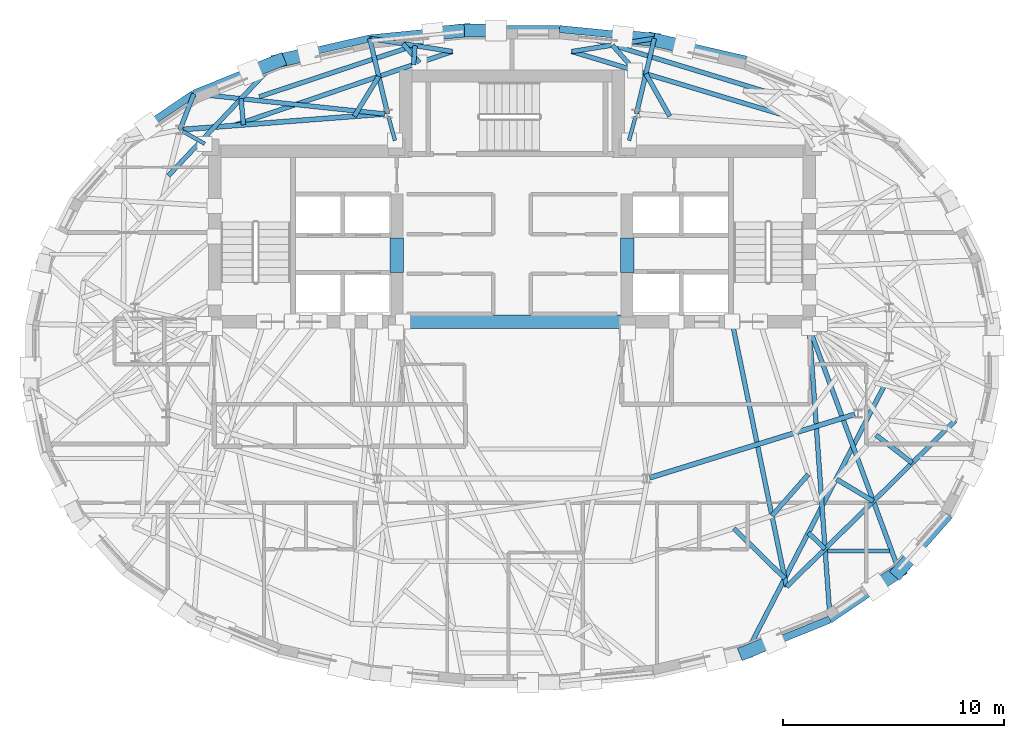
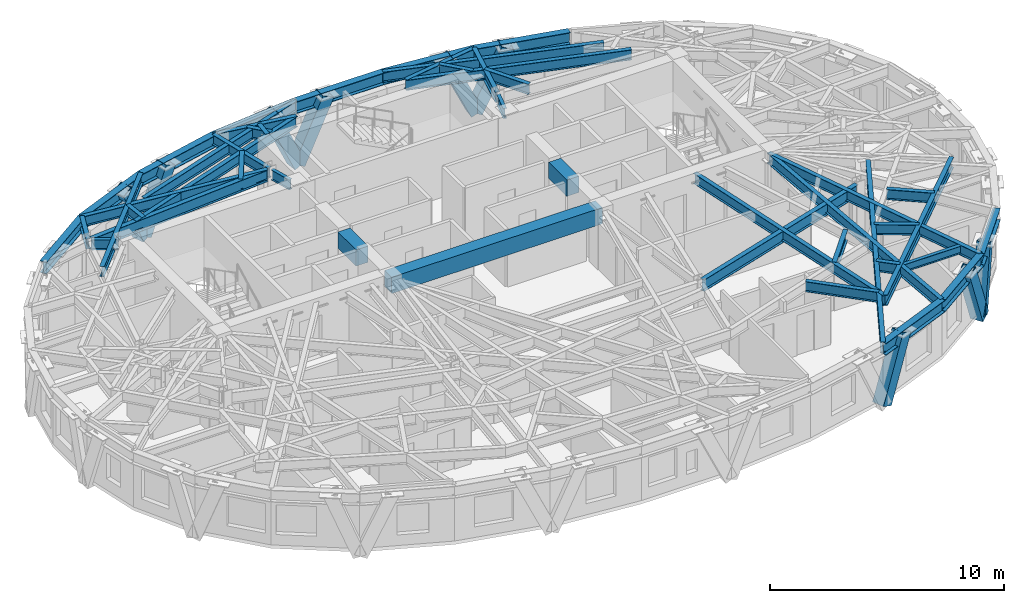
# One storey, part 3 of 13: 46 beams, 9 members.
"""IFC4 building model written with IfcOpenShell, lengths in metres."""

import ifcopenshell
import ifcopenshell.guid

model = None  # the IFC model being written
_history = None  # IfcOwnerHistory: only IFC2X3 demands one
_inside = {}  # id of a spatial element -> (the spatial element, [elements in it])
_under = {}  # id of a project, library or spatial element -> (it, [spatial elements below it])
_declared = {}  # id of a project -> (the project, [libraries it declares])
_typed = {}  # id of a type object -> (the type object, [elements of that type])
_made_of = {}  # id of a material, layer set ... -> (it, [elements and type objects made of it])


def new_model(schema):
    """Start an empty IFC model of exactly this schema.

    Asked for "IFC4X3", IfcOpenShell would pick the latest addendum, in which some entities
    have other attributes; the version numbers below select the first issue.
    IFC2X3 requires an IfcOwnerHistory on every rooted entity: one is made here for all.
    """
    global model, _history
    if schema == "IFC4X3":
        model = ifcopenshell.file(schema_version=(4, 3, 0, 0))
    else:
        model = ifcopenshell.file(schema=schema)
    _inside.clear()
    _under.clear()
    _declared.clear()
    _typed.clear()
    _made_of.clear()
    _history = None
    if model.schema == "IFC2X3":
        org = make("IfcOrganization", Name="unknown")
        user = make(
            "IfcPersonAndOrganization",
            ThePerson=make("IfcPerson", FamilyName="unknown"),
            TheOrganization=org,
        )
        app = make(
            "IfcApplication",
            ApplicationDeveloper=org,
            Version="unknown",
            ApplicationFullName="unknown",
            ApplicationIdentifier="unknown",
        )
        _history = make(
            "IfcOwnerHistory",
            OwningUser=user,
            OwningApplication=app,
            ChangeAction="ADDED",
            CreationDate=0,
        )
    return model


def make(cls, **values):
    """One entity of the class cls with the attributes given. An attribute that is None is left unset."""
    return model.create_entity(
        cls, **{name: value for name, value in values.items() if value is not None}
    )


def rooted(cls, **values):
    """An entity with a GlobalId (a new one), such as an element, a storey or a relation."""
    return make(cls, GlobalId=ifcopenshell.guid.new(), OwnerHistory=_history, **values)


def si_unit(unit_type, name, prefix=None):
    """IfcSIUnit, for example si_unit("LENGTHUNIT", "METRE", prefix="MILLI")."""
    return make("IfcSIUnit", UnitType=unit_type, Prefix=prefix, Name=name)


def assignment(units):
    """IfcUnitAssignment: the units of a project."""
    return None if units is None else make("IfcUnitAssignment", Units=units)


def point(xyz):
    """IfcCartesianPoint."""
    return None if xyz is None else make("IfcCartesianPoint", Coordinates=xyz)


def direction(xyz):
    """IfcDirection."""
    return None if xyz is None else make("IfcDirection", DirectionRatios=xyz)


def frame(location, z_axis=None, x_axis=None):
    """IfcAxis2Placement3D, a coordinate frame: its origin and axes. An axis left out is left unset."""
    return make(
        "IfcAxis2Placement3D",
        Location=point(location),
        Axis=direction(z_axis),
        RefDirection=direction(x_axis),
    )


def frame_2d(location, x_axis=None):
    """IfcAxis2Placement2D, a coordinate frame in the plane: its origin and x axis."""
    return make(
        "IfcAxis2Placement2D", Location=point(location), RefDirection=direction(x_axis)
    )


def origin():
    """The frame at (0, 0, 0) with its axes left unset."""
    return frame((0.0, 0.0, 0.0))


def origin_2d():
    """The frame at (0, 0) in the plane with its x axis left unset."""
    return frame_2d((0.0, 0.0))


def place(relative_to, where):
    """IfcLocalPlacement: puts the frame where relative to a parent placement (None: the world)."""
    return make(
        "IfcLocalPlacement", PlacementRelTo=relative_to, RelativePlacement=where
    )


def context(
    kind, dimensions, precision=None, world=None, true_north=None, identifier=None
):
    """IfcGeometricRepresentationContext, for example the 3D "Model" context."""
    return make(
        "IfcGeometricRepresentationContext",
        ContextIdentifier=identifier,
        ContextType=kind,
        CoordinateSpaceDimension=dimensions,
        Precision=precision,
        WorldCoordinateSystem=world,
        TrueNorth=true_north,
    )


def subcontext(parent, identifier, kind, view, scale=None):
    """IfcGeometricRepresentationSubContext, for example "Body" below "Model"."""
    return make(
        "IfcGeometricRepresentationSubContext",
        ContextIdentifier=identifier,
        ContextType=kind,
        ParentContext=parent,
        TargetScale=scale,
        TargetView=view,
    )


def project(units=None, contexts=None):
    """IfcProject with its units and contexts."""
    return rooted(
        "IfcProject",
        Name="project",
        RepresentationContexts=contexts,
        UnitsInContext=assignment(units),
    )


def spatial(cls, under=None, at=None, **own):
    """A site, building, storey or space (cls), placed at a placement, below another one or the project."""
    s = rooted(cls, ObjectPlacement=at, **own)
    if under is not None:
        _under.setdefault(under.id(), (under, []))[1].append(s)
    return s


def profile(cls, at=None, kind="AREA", **sizes):
    """A parametric profile (cls). Its sizes go by their IFC names, for example OverallWidth=200.0."""
    return make(cls, ProfileType=kind, Position=at, **sizes)


def rectangle(**sizes):
    """IfcRectangleProfileDef."""
    return profile("IfcRectangleProfileDef", **sizes)


def hollow_rectangle(**sizes):
    """IfcRectangleHollowProfileDef."""
    return profile("IfcRectangleHollowProfileDef", **sizes)


def i_section(**sizes):
    """IfcIShapeProfileDef."""
    return profile("IfcIShapeProfileDef", **sizes)


def extrude(swept, where, along, depth):
    """IfcExtrudedAreaSolid: the profile swept, set in the frame where, extruded along a direction by depth."""
    return make(
        "IfcExtrudedAreaSolid",
        SweptArea=swept,
        Position=where,
        ExtrudedDirection=direction(along),
        Depth=depth,
    )


def shape(context_of_items, identifier, shape_type, items):
    """IfcShapeRepresentation: the items that make up one representation, for example the "Body"."""
    return make(
        "IfcShapeRepresentation",
        ContextOfItems=context_of_items,
        RepresentationIdentifier=identifier,
        RepresentationType=shape_type,
        Items=items,
    )


def material(Name=None, Category=None):
    """IfcMaterial."""
    return make("IfcMaterial", Name=Name, Category=Category)


def material_profile(
    of_material, cross_section, Name=None, Category=None, Priority=None
):
    """IfcMaterialProfile: a cross section and its material."""
    return make(
        "IfcMaterialProfile",
        Name=Name,
        Material=of_material,
        Profile=cross_section,
        Priority=Priority,
        Category=Category,
    )


def profile_set(profiles, Name=None, composite=None):
    """IfcMaterialProfileSet."""
    return make(
        "IfcMaterialProfileSet",
        Name=Name,
        MaterialProfiles=profiles,
        CompositeProfile=composite,
    )


def made_of(thing, what):
    """Note that an element or type object is made of a material, layer set ...; save() writes the relation."""
    if what is not None:
        _made_of.setdefault(what.id(), (what, []))[1].append(thing)
    return thing


def type_object(cls, material=None, **own):
    """A type object (cls), such as IfcWallType, which elements share."""
    return made_of(rooted(cls, **own), material)


def element(
    cls,
    number,
    at=None,
    inside=None,
    cuts=None,
    type_object=None,
    material=None,
    context=None,
    identifier="Body",
    shape_type=None,
    held_by="IfcProductDefinitionShape",
    body=None,
    shapes=None,
    **own,
):
    """One element of the class cls, such as IfcWall. Its Tag is "e" and its number.

    at: its placement. inside: the storey or other place that contains it. cuts: it is an
    opening in that element (IfcRelVoidsElement). A single representation is given by context,
    identifier, shape_type and body (its items); several are given by shapes. held_by: the class
    of the entity that holds the representations. save() writes the other relations.
    """
    e = rooted(cls, Tag="e%d" % number, ObjectPlacement=at, **own)
    if body is not None:
        shapes = [shape(context, identifier, shape_type, body)]
    if shapes is not None:
        e.Representation = make(held_by, Representations=shapes)
    if inside is not None:
        _inside.setdefault(inside.id(), (inside, []))[1].append(e)
    if cuts is not None:
        rooted(
            "IfcRelVoidsElement", RelatingBuildingElement=cuts, RelatedOpeningElement=e
        )
    if type_object is not None:
        _typed.setdefault(type_object.id(), (type_object, []))[1].append(e)
    return made_of(e, material)


def aggregate(whole, parts):
    """IfcRelAggregates: a whole, such as a stair, and the parts it consists of."""
    return rooted("IfcRelAggregates", RelatingObject=whole, RelatedObjects=parts)


def save(model, path):
    """Write the relations noted so far, then the file.

    IfcRelAggregates (storeys below a building ...), IfcRelContainedInSpatialStructure (elements
    in a storey), IfcRelDefinesByType, IfcRelAssociatesMaterial and IfcRelDeclares: one each for
    every whole, place, type object, material and project.
    """
    for whole, parts in _under.values():
        aggregate(whole, parts)
    for where, things in _inside.values():
        rooted(
            "IfcRelContainedInSpatialStructure",
            RelatedElements=things,
            RelatingStructure=where,
        )
    for kind, things in _typed.values():
        rooted("IfcRelDefinesByType", RelatedObjects=things, RelatingType=kind)
    for what, things in _made_of.values():
        rooted("IfcRelAssociatesMaterial", RelatedObjects=things, RelatingMaterial=what)
    for by, libraries in _declared.values():
        rooted("IfcRelDeclares", RelatingContext=by, RelatedDefinitions=libraries)
    model.write(path)


model = new_model("IFC4")

# Units and contexts
model_context = context("Model", 3, precision=1e-05, world=origin(), true_north=direction((0.0, 1.0)))
body_context = subcontext(model_context, "Body", "Model", "MODEL_VIEW")
ifc_project = project(units=[si_unit("LENGTHUNIT", "METRE"), si_unit("AREAUNIT", "SQUARE_METRE"), si_unit("VOLUMEUNIT", "CUBIC_METRE"), si_unit("PLANEANGLEUNIT", "RADIAN"), si_unit("MASSUNIT", "GRAM", prefix="KILO")], contexts=[model_context])

# Site, building, storey
site_placement = place(None, origin())
site = spatial("IfcSite", under=ifc_project, at=site_placement, CompositionType="ELEMENT")
building_placement = place(site_placement, origin())
building = spatial("IfcBuilding", under=site, at=building_placement, Name="Keldmark Tower", CompositionType="ELEMENT")
storey_placement = place(building_placement, frame((0.0, 0.0, 235.199951171875)))
storey = spatial("IfcBuildingStorey", under=building, at=storey_placement, Name="L66", CompositionType="ELEMENT", Elevation=235.199951171875)

# Beams
ifc_material_1 = material(Name="Steel ASTM A992 Grade 50", Category="steel")
ifc_material_profile_1 = material_profile(ifc_material_1, i_section(OverallWidth=0.177978515625, OverallDepth=0.403076171875, WebThickness=0.007568359375, FlangeThickness=0.010986328125, at=origin_2d()), Name="W16X36")
ifc_profile_set_1 = profile_set([ifc_material_profile_1], Name="Steel ASTM A992 Grade 50")
beam_type_1 = type_object("IfcBeamType", Name="Composite Floor Joist W16X36", PredefinedType="JOIST", material=ifc_profile_set_1)
beam_1_placement = place(storey_placement, frame((14.241455078125, -8.780029296875, 2.7685546875), z_axis=(1.0, 0.0, 0.0), x_axis=(0.0, 1.0, 0.0)))
element("IfcBeam", 1, at=beam_1_placement, inside=storey, type_object=beam_type_1, Name="L66 Composite Floor Joist J02", PredefinedType="JOIST", context=body_context, shape_type="SweptSolid", body=[
    extrude(i_section(OverallWidth=0.177978515625, OverallDepth=0.403076171875, WebThickness=0.007568359375, FlangeThickness=0.010986328125, at=origin_2d()), origin(), (0.0, 0.0, 1.0), 2.805419921875),
])
ifc_material_2 = material(Name="Concrete C50/60", Category="concrete")
ifc_material_profile_2 = material_profile(ifc_material_2, rectangle(XDim=0.60009765625, YDim=0.85009765625, at=origin_2d()), Name="RCB600X850")
ifc_profile_set_2 = profile_set([ifc_material_profile_2], Name="Concrete C50/60")
beam_type_2 = type_object("IfcBeamType", Name="Core Coupling Beam RCB600X850", PredefinedType="USERDEFINED", material=ifc_profile_set_2)
for number, where, z_axis, x_axis, name in (
    (2, (-5.199951171875, 3.800048828125, 2.545166015625), (0.0, 1.0, 0.0), (-1.0, 0.0, 0.0), "L66 West Core Coupling Beam"),
    (3, (5.199951171875, 3.800048828125, 2.545166015625), (0.0, 1.0, 0.0), (-1.0, 0.0, 0.0), "L66 East Core Coupling Beam"),
):
    element("IfcBeam", number, at=place(storey_placement, frame(where, z_axis=z_axis, x_axis=x_axis)), inside=storey, type_object=beam_type_2, Name=name, ObjectType="COUPLING BEAM", PredefinedType="USERDEFINED", context=body_context, shape_type="SweptSolid", body=[
        extrude(rectangle(XDim=0.60009765625, YDim=0.85009765625, at=origin_2d()), origin(), (0.0, 0.0, 1.0), 1.550048828125),
    ])
beam_2_placement = place(storey_placement, frame((-5.199951171875, 1.574951171875, 2.545166015625), z_axis=(1.0, 0.0, 0.0), x_axis=(0.0, 1.0, 0.0)))
element("IfcBeam", 4, at=beam_2_placement, inside=storey, type_object=beam_type_2, Name="L66 Central South Core Coupling Beam", ObjectType="COUPLING BEAM", PredefinedType="USERDEFINED", context=body_context, shape_type="SweptSolid", body=[
    extrude(rectangle(XDim=0.60009765625, YDim=0.85009765625, at=origin_2d()), origin(), (0.0, 0.0, 1.0), 10.39990234375),
])

# Members
ifc_material_3 = material(Name="Steel ASTM A572 Grade 50", Category="steel")
ifc_material_profile_3 = material_profile(ifc_material_3, hollow_rectangle(XDim=0.60009765625, YDim=0.60009765625, WallThickness=0.034912109375, at=origin_2d()), Name="BOX600X600X35")
ifc_profile_set_3 = profile_set([ifc_material_profile_3], Name="Steel ASTM A572 Grade 50")
member_type = type_object("IfcMemberType", Name="Diagrid Zone 4 Brace BOX600X600X35", PredefinedType="BRACE", material=ifc_profile_set_3)
member_1_placement = place(storey_placement, frame((6.39794921875, 14.312255859375, -0.260009765625), z_axis=(0.404082349251, -0.093288235482, 0.909953163709), x_axis=(0.224947561892, 0.974370871075, 0.0)))
element("IfcMember", 5, at=member_1_placement, inside=storey, type_object=member_type, Name="L66 Perimeter Diagrid Brace 03B", PredefinedType="BRACE", context=body_context, shape_type="SweptSolid", body=[
    extrude(hollow_rectangle(XDim=0.60009765625, YDim=0.60009765625, WallThickness=0.034912109375, at=origin_2d()), origin(), (0.0, 0.0, 1.0), 3.41796875),
])
member_2_placement = place(storey_placement, frame((6.40869140625, 14.3076171875, -0.260009765625), z_axis=(-0.416434580065, 0.041279853083, 0.908228062909), x_axis=(-0.09864340487, -0.995122846022, 0.0)))
element("IfcMember", 6, at=member_2_placement, inside=storey, type_object=member_type, Name="L66 Perimeter Diagrid Brace 04A", PredefinedType="BRACE", context=body_context, shape_type="SweptSolid", body=[
    extrude(hollow_rectangle(XDim=0.60009765625, YDim=0.60009765625, WallThickness=0.034912109375, at=origin_2d()), origin(), (0.0, 0.0, 1.0), 3.42431640625),
])
member_3_placement = place(storey_placement, frame((-2.15380859375, 14.72900390625, -0.260009765625), z_axis=(0.418203376234, 0.0, 0.908353420264), x_axis=(0.0, 1.0, 0.0)))
element("IfcMember", 7, at=member_3_placement, inside=storey, type_object=member_type, Name="L66 Perimeter Diagrid Brace 04B", PredefinedType="BRACE", context=body_context, shape_type="SweptSolid", body=[
    extrude(hollow_rectangle(XDim=0.60009765625, YDim=0.60009765625, WallThickness=0.034912109375, at=origin_2d()), origin(), (0.0, 0.0, 1.0), 3.423828125),
])
member_4_placement = place(storey_placement, frame((-2.14208984375, 14.72900390625, -0.260009765625), z_axis=(-0.4164358046, -0.041208679175, 0.908230733574), x_axis=(0.09847468982, -0.995139555773, 0.0)))
element("IfcMember", 8, at=member_4_placement, inside=storey, type_object=member_type, Name="L66 Perimeter Diagrid Brace 05A", PredefinedType="BRACE", context=body_context, shape_type="SweptSolid", body=[
    extrude(hollow_rectangle(XDim=0.60009765625, YDim=0.60009765625, WallThickness=0.034912109375, at=origin_2d()), origin(), (0.0, 0.0, 1.0), 3.42431640625),
])
member_5_placement = place(storey_placement, frame((-10.552490234375, 13.351806640625, -0.260009765625), z_axis=(0.404144805703, 0.093214735144, 0.909932958616), x_axis=(-0.224746304795, 0.974417312285, 0.0)))
element("IfcMember", 9, at=member_5_placement, inside=storey, type_object=member_type, Name="L66 Perimeter Diagrid Brace 05B", PredefinedType="BRACE", context=body_context, shape_type="SweptSolid", body=[
    extrude(hollow_rectangle(XDim=0.60009765625, YDim=0.60009765625, WallThickness=0.034912109375, at=origin_2d()), origin(), (0.0, 0.0, 1.0), 3.41796875),
])
for number, where, z_axis, x_axis, name in (
    (10, (-10.54150390625, 13.356201171875, -0.260009765625), (-0.372540603829, -0.151014433464, 0.915646296003), (0.37567190483, -0.926752728575, 0.0), "L66 Perimeter Diagrid Brace 06A"),
    (11, (10.54150390625, -13.356201171875, -0.260009765625), (0.372540603829, 0.151014433464, 0.915646296003), (-0.37567190483, 0.926752728575, 0.0), "L66 Perimeter Diagrid Brace 14A"),
):
    element("IfcMember", number, at=place(storey_placement, frame(where, z_axis=z_axis, x_axis=x_axis)), inside=storey, type_object=member_type, Name=name, PredefinedType="BRACE", context=body_context, shape_type="SweptSolid", body=[
        extrude(hollow_rectangle(XDim=0.60009765625, YDim=0.60009765625, WallThickness=0.034912109375, at=origin_2d()), origin(), (0.0, 0.0, 1.0), 3.396728515625),
    ])
member_6_placement = place(storey_placement, frame((17.466796875, -9.695068359375, -0.260009765625), z_axis=(-0.311680858126, -0.211326312113, 0.926388812803), x_axis=(0.56118969734, -0.827687213626, 0.0)))
element("IfcMember", 12, at=member_6_placement, inside=storey, type_object=member_type, Name="L66 Perimeter Diagrid Brace 14B", PredefinedType="BRACE", context=body_context, shape_type="SweptSolid", body=[
    extrude(hollow_rectangle(XDim=0.60009765625, YDim=0.60009765625, WallThickness=0.034912109375, at=origin_2d()), origin(), (0.0, 0.0, 1.0), 3.357177734375),
])
member_7_placement = place(storey_placement, frame((17.45849609375, -9.703369140625, -0.260009765625), z_axis=(0.228311749469, 0.258959599672, 0.938516739751), x_axis=(-0.750099356508, 0.661325151016, 0.0)))
element("IfcMember", 13, at=member_7_placement, inside=storey, type_object=member_type, Name="L66 Perimeter Diagrid Brace 15A", PredefinedType="BRACE", context=body_context, shape_type="SweptSolid", body=[
    extrude(hollow_rectangle(XDim=0.60009765625, YDim=0.60009765625, WallThickness=0.034912109375, at=origin_2d()), origin(), (0.0, 0.0, 1.0), 3.31396484375),
])

# Beams
ifc_material_4 = material(Name="Steel ASTM A992 Grade 50", Category="steel")
ifc_material_profile_4 = material_profile(ifc_material_4, i_section(OverallWidth=0.22802734375, OverallDepth=0.60302734375, WebThickness=0.010498046875, FlangeThickness=0.014892578125, at=origin_2d()), Name="W24X68")
ifc_profile_set_4 = profile_set([ifc_material_profile_4], Name="Steel ASTM A992 Grade 50")
beam_type_3 = type_object("IfcBeamType", Name="Primary Floor Girder W24X68", PredefinedType="BEAM", material=ifc_profile_set_4)
beam_3_placement = place(storey_placement, frame((-5.75830078125, 10.956298828125, 2.66845703125), z_axis=(-0.997037147832, -0.076921556421, 0.0), x_axis=(0.076921556421, -0.997037147832, 0.0)))
element("IfcBeam", 14, at=beam_3_placement, inside=storey, type_object=beam_type_3, Name="L66 Floor Ring Girder FG-R04", PredefinedType="BEAM", context=body_context, shape_type="SweptSolid", body=[
    extrude(i_section(OverallWidth=0.22802734375, OverallDepth=0.60302734375, WebThickness=0.010498046875, FlangeThickness=0.014892578125, at=origin_2d()), origin(), (0.0, 0.0, 1.0), 9.125),
])
beam_4_placement = place(storey_placement, frame((6.223388671875, -5.471435546875, 2.66845703125), z_axis=(0.955383255089, 0.295368982622, 0.0), x_axis=(-0.295368982622, 0.955383255089, 0.0)))
element("IfcBeam", 15, at=beam_4_placement, inside=storey, type_object=beam_type_3, Name="L66 Floor Ring Girder FG-R10", PredefinedType="BEAM", context=body_context, shape_type="SweptSolid", body=[
    extrude(i_section(OverallWidth=0.22802734375, OverallDepth=0.60302734375, WebThickness=0.010498046875, FlangeThickness=0.014892578125, at=origin_2d()), origin(), (0.0, 0.0, 1.0), 9.69140625),
])
ifc_material_5 = material(Name="Steel ASTM A992 Grade 50", Category="steel")
ifc_material_profile_5 = material_profile(ifc_material_5, i_section(OverallWidth=0.166015625, OverallDepth=0.529052734375, WebThickness=0.009765625, FlangeThickness=0.013671875, at=origin_2d()), Name="W21X50")
ifc_profile_set_5 = profile_set([ifc_material_profile_5], Name="Steel ASTM A992 Grade 50")
beam_type_4 = type_object("IfcBeamType", Name="Radial Tie Girder W21X50", PredefinedType="BEAM", material=ifc_profile_set_5)
for number, where, z_axis, x_axis, name in (
    (16, (5.581298828125, 10.83203125, 2.70556640625), (-0.265936023434, -0.963990680163, 0.0), (0.963990680163, -0.265936023434, 0.0), "L66 Floor Radial Girder FG-C03"),
    (17, (-5.581298828125, 10.83203125, 2.70556640625), (0.265936023434, -0.963990680163, 0.0), (0.963990680163, 0.265936023434, 0.0), "L66 Floor Radial Girder FG-C04"),
):
    element("IfcBeam", number, at=place(storey_placement, frame(where, z_axis=z_axis, x_axis=x_axis)), inside=storey, type_object=beam_type_4, Name=name, PredefinedType="BEAM", context=body_context, shape_type="SweptSolid", body=[
        extrude(i_section(OverallWidth=0.166015625, OverallDepth=0.529052734375, WebThickness=0.009765625, FlangeThickness=0.013671875, at=origin_2d()), origin(), (0.0, 0.0, 1.0), 1.113525390625),
    ])
beam_5_placement = place(storey_placement, frame((-14.8740234375, 10.174560546875, 2.70556640625), z_axis=(0.869238046195, -0.494393789451, 0.0), x_axis=(0.494393789451, 0.869238046195, 0.0)))
element("IfcBeam", 18, at=beam_5_placement, inside=storey, type_object=beam_type_4, Name="L66 Floor Radial Girder FG-C05", PredefinedType="BEAM", context=body_context, shape_type="SweptSolid", body=[
    extrude(i_section(OverallWidth=0.166015625, OverallDepth=0.529052734375, WebThickness=0.009765625, FlangeThickness=0.013671875, at=origin_2d()), origin(), (0.0, 0.0, 1.0), 1.145751953125),
])
ifc_material_6 = material(Name="Steel ASTM A992 Grade 50", Category="steel")
ifc_material_profile_6 = material_profile(ifc_material_6, i_section(OverallWidth=0.2099609375, OverallDepth=0.537109375, WebThickness=0.010986328125, FlangeThickness=0.017333984375, at=origin_2d()), Name="W21X68")
ifc_profile_set_6 = profile_set([ifc_material_profile_6], Name="Steel ASTM A992 Grade 50")
beam_type_5 = type_object("IfcBeamType", Name="Radial Tie Girder W21X68", PredefinedType="BEAM", material=ifc_profile_set_6)
beam_6_placement = place(storey_placement, frame((13.381103515625, -5.323486328125, 2.70166015625), z_axis=(-0.658386631261, -0.752679907913, 0.0), x_axis=(0.752679907913, -0.658386631261, 0.0)))
element("IfcBeam", 19, at=beam_6_placement, inside=storey, type_object=beam_type_5, Name="L66 Framing Pin Header PH-011", PredefinedType="BEAM", context=body_context, shape_type="SweptSolid", body=[
    extrude(i_section(OverallWidth=0.2099609375, OverallDepth=0.537109375, WebThickness=0.010986328125, FlangeThickness=0.017333984375, at=origin_2d()), origin(), (0.0, 0.0, 1.0), 2.49072265625),
])
beam_7_placement = place(storey_placement, frame((9.939208984375, 1.574951171875, 2.70166015625), z_axis=(0.201216820999, -0.979546727291, 0.0), x_axis=(0.979546727291, 0.201216820999, 0.0)))
element("IfcBeam", 20, at=beam_7_placement, inside=storey, type_object=beam_type_5, Name="L66 Sub-Ring Step Girder STP2-M11", PredefinedType="BEAM", context=body_context, shape_type="SweptSolid", body=[
    extrude(i_section(OverallWidth=0.2099609375, OverallDepth=0.537109375, WebThickness=0.010986328125, FlangeThickness=0.017333984375, at=origin_2d()), origin(), (0.0, 0.0, 1.0), 12.2265625),
])
beam_8_placement = place(storey_placement, frame((12.3994140625, -10.401611328125, 2.70166015625), z_axis=(0.712109920775, 0.702067988683, 0.0), x_axis=(-0.702067988683, 0.712109920775, 0.0)))
element("IfcBeam", 21, at=beam_8_placement, inside=storey, type_object=beam_type_5, Name="L66 Perimeter Collector Ring Beam CRG2-M11", PredefinedType="BEAM", context=body_context, shape_type="SweptSolid", body=[
    extrude(i_section(OverallWidth=0.2099609375, OverallDepth=0.537109375, WebThickness=0.010986328125, FlangeThickness=0.017333984375, at=origin_2d()), origin(), (0.0, 0.0, 1.0), 10.697265625),
])
for number, where, z_axis, x_axis, name in (
    (22, (5.61865234375, 10.967041015625, 2.70166015625), (0.231236197602, 0.972897641542, 0.0), (-0.972897641542, 0.231236197602, 0.0), "L66 Perimeter Column Bracket RT-07"),
    (23, (-5.61865234375, 10.967041015625, 2.70166015625), (-0.231236197602, 0.972897641542, 0.0), (-0.972897641542, -0.231236197602, 0.0), "L66 Perimeter Column Bracket RT-10"),
):
    element("IfcBeam", number, at=place(storey_placement, frame(where, z_axis=z_axis, x_axis=x_axis)), inside=storey, type_object=beam_type_5, Name=name, PredefinedType="BEAM", context=body_context, shape_type="SweptSolid", body=[
        extrude(i_section(OverallWidth=0.2099609375, OverallDepth=0.537109375, WebThickness=0.010986328125, FlangeThickness=0.017333984375, at=origin_2d()), origin(), (0.0, 0.0, 1.0), 3.49267578125),
    ])
beam_9_placement = place(storey_placement, frame((-14.995849609375, 10.24365234375, 2.70166015625), z_axis=(0.361135466813, 0.932513364306, 0.0), x_axis=(-0.932513364306, 0.361135466813, 0.0)))
element("IfcBeam", 24, at=beam_9_placement, inside=storey, type_object=beam_type_5, Name="L66 Perimeter Column Bracket RT-12", PredefinedType="BEAM", context=body_context, shape_type="SweptSolid", body=[
    extrude(i_section(OverallWidth=0.2099609375, OverallDepth=0.537109375, WebThickness=0.010986328125, FlangeThickness=0.017333984375, at=origin_2d()), origin(), (0.0, 0.0, 1.0), 1.744140625),
])
beam_10_placement = place(storey_placement, frame((10.015869140625, -7.758056640625, 2.70166015625), z_axis=(0.713993507616, -0.700152319915, 0.0), x_axis=(0.700152319915, 0.713993507616, 0.0)))
element("IfcBeam", 25, at=beam_10_placement, inside=storey, type_object=beam_type_5, Name="L66 Framing Pin Header PH-032", PredefinedType="BEAM", context=body_context, shape_type="SweptSolid", body=[
    extrude(i_section(OverallWidth=0.2099609375, OverallDepth=0.537109375, WebThickness=0.010986328125, FlangeThickness=0.017333984375, at=origin_2d()), origin(), (0.0, 0.0, 1.0), 3.227783203125),
])
beam_11_placement = place(storey_placement, frame((16.823974609375, -1.294921875, 2.70166015625), z_axis=(-0.45873734007, -0.888571917644, 0.0), x_axis=(0.888571917644, -0.45873734007, 0.0)))
element("IfcBeam", 26, at=beam_11_placement, inside=storey, type_object=beam_type_5, Name="L66 Perimeter Radial Tie Girder RT-27", PredefinedType="BEAM", context=body_context, shape_type="SweptSolid", body=[
    extrude(i_section(OverallWidth=0.2099609375, OverallDepth=0.537109375, WebThickness=0.010986328125, FlangeThickness=0.017333984375, at=origin_2d()), origin(), (0.0, 0.0, 1.0), 13.63330078125),
])
beam_12_placement = place(storey_placement, frame((13.38427734375, -7.957763671875, 2.70166015625), z_axis=(0.718875949313, -0.695138381547, 0.0), x_axis=(0.695138381547, 0.718875949313, 0.0)))
element("IfcBeam", 27, at=beam_12_placement, inside=storey, type_object=beam_type_5, Name="L66 Framing Pin Header PH-033", PredefinedType="BEAM", context=body_context, shape_type="SweptSolid", body=[
    extrude(i_section(OverallWidth=0.2099609375, OverallDepth=0.537109375, WebThickness=0.010986328125, FlangeThickness=0.017333984375, at=origin_2d()), origin(), (0.0, 0.0, 1.0), 1.049072265625),
])
beam_13_placement = place(storey_placement, frame((13.425048828125, 1.300048828125, 2.70166015625), z_axis=(0.071261504304, -0.997457667274, 0.0), x_axis=(0.997457667274, 0.071261504304, 0.0)))
element("IfcBeam", 28, at=beam_13_placement, inside=storey, type_object=beam_type_5, Name="L66 Perimeter Radial Tie Girder RT-28", PredefinedType="BEAM", context=body_context, shape_type="SweptSolid", body=[
    extrude(i_section(OverallWidth=0.2099609375, OverallDepth=0.537109375, WebThickness=0.010986328125, FlangeThickness=0.017333984375, at=origin_2d()), origin(), (0.0, 0.0, 1.0), 13.20361328125),
])
beam_14_placement = place(storey_placement, frame((14.658447265625, -5.5419921875, 2.70166015625), z_axis=(0.858226282888, -0.51327151427, 0.0), x_axis=(0.51327151427, 0.858226282888, 0.0)))
element("IfcBeam", 29, at=beam_14_placement, inside=storey, type_object=beam_type_5, Name="L66 Framing Pin Header PH-034", PredefinedType="BEAM", context=body_context, shape_type="SweptSolid", body=[
    extrude(i_section(OverallWidth=0.2099609375, OverallDepth=0.537109375, WebThickness=0.010986328125, FlangeThickness=0.017333984375, at=origin_2d()), origin(), (0.0, 0.0, 1.0), 1.936279296875),
])
beam_15_placement = place(storey_placement, frame((13.425048828125, 1.300048828125, 2.70166015625), z_axis=(0.346596188863, -0.938014435851, 0.0), x_axis=(0.938014435851, 0.346596188863, 0.0)))
element("IfcBeam", 30, at=beam_15_placement, inside=storey, type_object=beam_type_5, Name="L66 Perimeter Radial Tie Girder RT-29", PredefinedType="BEAM", context=body_context, shape_type="SweptSolid", body=[
    extrude(i_section(OverallWidth=0.2099609375, OverallDepth=0.537109375, WebThickness=0.010986328125, FlangeThickness=0.017333984375, at=origin_2d()), origin(), (0.0, 0.0, 1.0), 11.771240234375),
])
beam_16_placement = place(storey_placement, frame((16.441162109375, -3.5439453125, 2.70166015625), z_axis=(0.790897277524, -0.611948932841, 0.0), x_axis=(0.611948932841, 0.790897277524, 0.0)))
element("IfcBeam", 31, at=beam_16_placement, inside=storey, type_object=beam_type_5, Name="L66 Framing Pin Header PH-035", PredefinedType="BEAM", context=body_context, shape_type="SweptSolid", body=[
    extrude(i_section(OverallWidth=0.2099609375, OverallDepth=0.537109375, WebThickness=0.010986328125, FlangeThickness=0.017333984375, at=origin_2d()), origin(), (0.0, 0.0, 1.0), 2.064208984375),
])
beam_17_placement = place(storey_placement, frame((7.122802734375, 10.85107421875, 2.70166015625), z_axis=(-0.489069746044, 0.872244680984, 0.0), x_axis=(-0.872244680984, -0.489069746044, 0.0)))
element("IfcBeam", 32, at=beam_17_placement, inside=storey, type_object=beam_type_5, Name="L66 Framing Pin Header PH-038", PredefinedType="BEAM", context=body_context, shape_type="SweptSolid", body=[
    extrude(i_section(OverallWidth=0.2099609375, OverallDepth=0.537109375, WebThickness=0.010986328125, FlangeThickness=0.017333984375, at=origin_2d()), origin(), (0.0, 0.0, 1.0), 2.199462890625),
])
beam_18_placement = place(storey_placement, frame((12.191650390625, 10.92626953125, 2.70166015625), z_axis=(-0.957831708563, 0.287329807139, 0.0), x_axis=(-0.287329807139, -0.957831708563, 0.0)))
element("IfcBeam", 33, at=beam_18_placement, inside=storey, type_object=beam_type_5, Name="L66 Crown Step Radial Girder RT-08RN2", PredefinedType="BEAM", context=body_context, shape_type="SweptSolid", body=[
    extrude(i_section(OverallWidth=0.2099609375, OverallDepth=0.537109375, WebThickness=0.010986328125, FlangeThickness=0.017333984375, at=origin_2d()), origin(), (0.0, 0.0, 1.0), 9.91162109375),
])
beam_19_placement = place(storey_placement, frame((2.697998046875, 13.774169921875, 2.70166015625), z_axis=(0.987675234095, 0.156517193799, 0.0), x_axis=(-0.156517193799, 0.987675234095, 0.0)))
element("IfcBeam", 34, at=beam_19_placement, inside=storey, type_object=beam_type_5, Name="L66 Crown Step Collector Chord RT-08RP2", PredefinedType="BEAM", context=body_context, shape_type="SweptSolid", body=[
    extrude(i_section(OverallWidth=0.2099609375, OverallDepth=0.537109375, WebThickness=0.010986328125, FlangeThickness=0.017333984375, at=origin_2d()), origin(), (0.0, 0.0, 1.0), 3.77490234375),
])
beam_20_placement = place(storey_placement, frame((5.546142578125, 12.919921875, 2.70166015625), z_axis=(-0.662239510471, 0.749292219879, 0.0), x_axis=(-0.749292219879, -0.662239510471, 0.0)))
element("IfcBeam", 35, at=beam_20_placement, inside=storey, type_object=beam_type_5, Name="L66 Framing Pin Header PH-039", PredefinedType="BEAM", context=body_context, shape_type="SweptSolid", body=[
    extrude(i_section(OverallWidth=0.2099609375, OverallDepth=0.537109375, WebThickness=0.010986328125, FlangeThickness=0.017333984375, at=origin_2d()), origin(), (0.0, 0.0, 1.0), 1.528564453125),
])
beam_21_placement = place(storey_placement, frame((11.4375, 11.9716796875, 2.70166015625), z_axis=(-0.956963676177, 0.290207722981, 0.0), x_axis=(-0.290207722981, -0.956963676177, 0.0)))
element("IfcBeam", 36, at=beam_21_placement, inside=storey, type_object=beam_type_5, Name="L66 Perimeter Radial Tie Girder RT-08R", PredefinedType="BEAM", context=body_context, shape_type="SweptSolid", body=[
    extrude(i_section(OverallWidth=0.2099609375, OverallDepth=0.537109375, WebThickness=0.010986328125, FlangeThickness=0.017333984375, at=origin_2d()), origin(), (0.0, 0.0, 1.0), 9.707275390625),
])
beam_22_placement = place(storey_placement, frame((-7.122802734375, 10.85107421875, 2.70166015625), z_axis=(0.522922663545, 0.852380131134, 0.0), x_axis=(-0.852380131134, 0.522922663545, 0.0)))
element("IfcBeam", 37, at=beam_22_placement, inside=storey, type_object=beam_type_5, Name="L66 Framing Pin Header PH-040", PredefinedType="BEAM", context=body_context, shape_type="SweptSolid", body=[
    extrude(i_section(OverallWidth=0.2099609375, OverallDepth=0.537109375, WebThickness=0.010986328125, FlangeThickness=0.017333984375, at=origin_2d()), origin(), (0.0, 0.0, 1.0), 2.111328125),
])
beam_23_placement = place(storey_placement, frame((-12.581787109375, 10.429931640625, 2.70166015625), z_axis=(0.94724635445, 0.320506386801, 0.0), x_axis=(-0.320506386801, 0.94724635445, 0.0)))
element("IfcBeam", 38, at=beam_23_placement, inside=storey, type_object=beam_type_5, Name="L66 Crown Step Radial Girder RT-09RN1", PredefinedType="BEAM", context=body_context, shape_type="SweptSolid", body=[
    extrude(i_section(OverallWidth=0.2099609375, OverallDepth=0.537109375, WebThickness=0.010986328125, FlangeThickness=0.017333984375, at=origin_2d()), origin(), (0.0, 0.0, 1.0), 10.434326171875),
])
beam_24_placement = place(storey_placement, frame((-2.697998046875, 13.774169921875, 2.70166015625), z_axis=(-0.987675234095, 0.156517193799, 0.0), x_axis=(-0.156517193799, -0.987675234095, 0.0)))
element("IfcBeam", 39, at=beam_24_placement, inside=storey, type_object=beam_type_5, Name="L66 Crown Step Collector Chord RT-09RP1", PredefinedType="BEAM", context=body_context, shape_type="SweptSolid", body=[
    extrude(i_section(OverallWidth=0.2099609375, OverallDepth=0.537109375, WebThickness=0.010986328125, FlangeThickness=0.017333984375, at=origin_2d()), origin(), (0.0, 0.0, 1.0), 3.77490234375),
])
beam_25_placement = place(storey_placement, frame((-4.1806640625, 13.272705078125, 2.70166015625), z_axis=(-0.654840027108, 0.755767516434, 0.0), x_axis=(-0.755767516434, -0.654840027108, 0.0)))
element("IfcBeam", 40, at=beam_25_placement, inside=storey, type_object=beam_type_5, Name="L66 Framing Pin Header PH-041", PredefinedType="BEAM", context=body_context, shape_type="SweptSolid", body=[
    extrude(i_section(OverallWidth=0.2099609375, OverallDepth=0.537109375, WebThickness=0.010986328125, FlangeThickness=0.017333984375, at=origin_2d()), origin(), (0.0, 0.0, 1.0), 1.129638671875),
])
beam_26_placement = place(storey_placement, frame((-4.375732421875, 14.0400390625, 2.70166015625), z_axis=(-0.082293949072, -0.996608100482, 0.0), x_axis=(0.996608100482, -0.082293949072, 0.0)))
element("IfcBeam", 41, at=beam_26_placement, inside=storey, type_object=beam_type_5, Name="L66 Framing Pin Header PH-042", PredefinedType="BEAM", context=body_context, shape_type="SweptSolid", body=[
    extrude(i_section(OverallWidth=0.2099609375, OverallDepth=0.537109375, WebThickness=0.010986328125, FlangeThickness=0.017333984375, at=origin_2d()), origin(), (0.0, 0.0, 1.0), 0.8603515625),
])
beam_27_placement = place(storey_placement, frame((-11.41015625, 11.736083984375, 2.70166015625), z_axis=(0.949744356652, 0.313026607506, 0.0), x_axis=(-0.313026607506, 0.949744356652, 0.0)))
element("IfcBeam", 42, at=beam_27_placement, inside=storey, type_object=beam_type_5, Name="L66 Perimeter Radial Tie Girder RT-09R", PredefinedType="BEAM", context=body_context, shape_type="SweptSolid", body=[
    extrude(i_section(OverallWidth=0.2099609375, OverallDepth=0.537109375, WebThickness=0.010986328125, FlangeThickness=0.017333984375, at=origin_2d()), origin(), (0.0, 0.0, 1.0), 9.752197265625),
])
beam_28_placement = place(storey_placement, frame((-5.75830078125, 10.956298828125, 2.70166015625), z_axis=(-0.994411867559, 0.105570060421, 0.0), x_axis=(-0.105570060421, -0.994411867559, 0.0)))
element("IfcBeam", 43, at=beam_28_placement, inside=storey, type_object=beam_type_5, Name="L66 Straddling Support Chord RT-11RB", PredefinedType="BEAM", context=body_context, shape_type="SweptSolid", body=[
    extrude(i_section(OverallWidth=0.2099609375, OverallDepth=0.537109375, WebThickness=0.010986328125, FlangeThickness=0.017333984375, at=origin_2d()), origin(), (0.0, 0.0, 1.0), 8.656005859375),
])
beam_29_placement = place(storey_placement, frame((-12.126708984375, 10.465087890625, 2.70166015625), z_axis=(-0.092989410044, 0.995667097789, 0.0), x_axis=(-0.995667097789, -0.092989410044, 0.0)))
element("IfcBeam", 44, at=beam_29_placement, inside=storey, type_object=beam_type_5, Name="L66 Framing Pin Header PH-043", PredefinedType="BEAM", context=body_context, shape_type="SweptSolid", body=[
    extrude(i_section(OverallWidth=0.2099609375, OverallDepth=0.537109375, WebThickness=0.010986328125, FlangeThickness=0.017333984375, at=origin_2d()), origin(), (0.0, 0.0, 1.0), 1.18408203125),
])
beam_30_placement = place(storey_placement, frame((-15.5205078125, 8.1669921875, 2.70166015625), z_axis=(0.686603647825, 0.727031932444, 0.0), x_axis=(-0.727031932444, 0.686603647825, 0.0)))
element("IfcBeam", 45, at=beam_30_placement, inside=storey, type_object=beam_type_5, Name="L66 Perimeter Radial Tie Girder RT-11R", PredefinedType="BEAM", context=body_context, shape_type="SweptSolid", body=[
    extrude(i_section(OverallWidth=0.2099609375, OverallDepth=0.537109375, WebThickness=0.010986328125, FlangeThickness=0.017333984375, at=origin_2d()), origin(), (0.0, 0.0, 1.0), 7.21044921875),
])
ifc_material_7 = material(Name="Steel ASTM A992 Grade 50", Category="steel")
ifc_material_profile_7 = material_profile(ifc_material_7, i_section(OverallWidth=0.326904296875, OverallDepth=0.6220703125, WebThickness=0.015380859375, FlangeThickness=0.0244140625, at=origin_2d()), Name="W24X131")
ifc_profile_set_7 = profile_set([ifc_material_profile_7], Name="Steel ASTM A992 Grade 50")
beam_type_6 = type_object("IfcBeamType", Name="Spandrel Ring Beam W24X131", PredefinedType="SPANDREL", material=ifc_profile_set_7)
beam_31_placement = place(storey_placement, frame((10.56982421875, 13.4091796875, 2.658935546875), z_axis=(-0.974411512007, 0.224771451185, 0.0), x_axis=(-0.224771451185, -0.974411512007, 0.0)))
element("IfcBeam", 46, at=beam_31_placement, inside=storey, type_object=beam_type_6, Name="L66 Perimeter Spandrel Ring Beam SRB-06", PredefinedType="SPANDREL", context=body_context, shape_type="SweptSolid", body=[
    extrude(i_section(OverallWidth=0.326904296875, OverallDepth=0.6220703125, WebThickness=0.015380859375, FlangeThickness=0.0244140625, at=origin_2d()), origin(), (0.0, 0.0, 1.0), 4.25244140625),
])
beam_32_placement = place(storey_placement, frame((6.42626953125, 14.364990234375, 2.658935546875), z_axis=(-0.995128970973, 0.098581596303, 0.0), x_axis=(-0.098581596303, -0.995128970973, 0.0)))
element("IfcBeam", 47, at=beam_32_placement, inside=storey, type_object=beam_type_6, Name="L66 Perimeter Spandrel Ring Beam SRB-07", PredefinedType="SPANDREL", context=body_context, shape_type="SweptSolid", body=[
    extrude(i_section(OverallWidth=0.326904296875, OverallDepth=0.6220703125, WebThickness=0.015380859375, FlangeThickness=0.0244140625, at=origin_2d()), origin(), (0.0, 0.0, 1.0), 4.29931640625),
])
beam_33_placement = place(storey_placement, frame((2.14794921875, 14.788818359375, 2.658935546875), z_axis=(-1.0, 0.0, 0.0), x_axis=(0.0, -1.0, 0.0)))
element("IfcBeam", 48, at=beam_33_placement, inside=storey, type_object=beam_type_6, Name="L66 Perimeter Spandrel Ring Beam SRB-08", PredefinedType="SPANDREL", context=body_context, shape_type="SweptSolid", body=[
    extrude(i_section(OverallWidth=0.326904296875, OverallDepth=0.6220703125, WebThickness=0.015380859375, FlangeThickness=0.0244140625, at=origin_2d()), origin(), (0.0, 0.0, 1.0), 4.2958984375),
])
beam_34_placement = place(storey_placement, frame((-2.14794921875, 14.788818359375, 2.658935546875), z_axis=(-0.995128970973, -0.098581596303, 0.0), x_axis=(0.098581596303, -0.995128970973, 0.0)))
element("IfcBeam", 49, at=beam_34_placement, inside=storey, type_object=beam_type_6, Name="L66 Perimeter Spandrel Ring Beam SRB-09", PredefinedType="SPANDREL", context=body_context, shape_type="SweptSolid", body=[
    extrude(i_section(OverallWidth=0.326904296875, OverallDepth=0.6220703125, WebThickness=0.015380859375, FlangeThickness=0.0244140625, at=origin_2d()), origin(), (0.0, 0.0, 1.0), 4.29931640625),
])
beam_35_placement = place(storey_placement, frame((-6.42626953125, 14.364990234375, 2.658935546875), z_axis=(-0.974411512007, -0.224771451185, 0.0), x_axis=(0.224771451185, -0.974411512007, 0.0)))
element("IfcBeam", 50, at=beam_35_placement, inside=storey, type_object=beam_type_6, Name="L66 Perimeter Spandrel Ring Beam SRB-10", PredefinedType="SPANDREL", context=body_context, shape_type="SweptSolid", body=[
    extrude(i_section(OverallWidth=0.326904296875, OverallDepth=0.6220703125, WebThickness=0.015380859375, FlangeThickness=0.0244140625, at=origin_2d()), origin(), (0.0, 0.0, 1.0), 4.25244140625),
])
beam_36_placement = place(storey_placement, frame((-10.56982421875, 13.4091796875, 2.658935546875), z_axis=(-0.926731976866, -0.375723093586, 0.0), x_axis=(0.375723093586, -0.926731976866, 0.0)))
element("IfcBeam", 51, at=beam_36_placement, inside=storey, type_object=beam_type_6, Name="L66 Perimeter Spandrel Ring Beam SRB-11", PredefinedType="SPANDREL", context=body_context, shape_type="SweptSolid", body=[
    extrude(i_section(OverallWidth=0.326904296875, OverallDepth=0.6220703125, WebThickness=0.015380859375, FlangeThickness=0.0244140625, at=origin_2d()), origin(), (0.0, 0.0, 1.0), 4.09619140625),
])
beam_37_placement = place(storey_placement, frame((-14.365966796875, 11.8701171875, 2.658935546875), z_axis=(-0.827637036896, -0.561263694851, 0.0), x_axis=(0.561263694851, -0.827637036896, 0.0)))
element("IfcBeam", 52, at=beam_37_placement, inside=storey, type_object=beam_type_6, Name="L66 Perimeter Spandrel Ring Beam SRB-12", PredefinedType="SPANDREL", context=body_context, shape_type="SweptSolid", body=[
    extrude(i_section(OverallWidth=0.326904296875, OverallDepth=0.6220703125, WebThickness=0.015380859375, FlangeThickness=0.0244140625, at=origin_2d()), origin(), (0.0, 0.0, 1.0), 3.792724609375),
])
beam_38_placement = place(storey_placement, frame((10.56982421875, -13.4091796875, 2.658935546875), z_axis=(0.926731976866, 0.375723093586, 0.0), x_axis=(-0.375723093586, 0.926731976866, 0.0)))
element("IfcBeam", 53, at=beam_38_placement, inside=storey, type_object=beam_type_6, Name="L66 Perimeter Spandrel Ring Beam SRB-27", PredefinedType="SPANDREL", context=body_context, shape_type="SweptSolid", body=[
    extrude(i_section(OverallWidth=0.326904296875, OverallDepth=0.6220703125, WebThickness=0.015380859375, FlangeThickness=0.0244140625, at=origin_2d()), origin(), (0.0, 0.0, 1.0), 4.09619140625),
])
beam_39_placement = place(storey_placement, frame((14.365966796875, -11.8701171875, 2.658935546875), z_axis=(0.827637036896, 0.561263694851, 0.0), x_axis=(-0.561263694851, 0.827637036896, 0.0)))
element("IfcBeam", 54, at=beam_39_placement, inside=storey, type_object=beam_type_6, Name="L66 Perimeter Spandrel Ring Beam SRB-28", PredefinedType="SPANDREL", context=body_context, shape_type="SweptSolid", body=[
    extrude(i_section(OverallWidth=0.326904296875, OverallDepth=0.6220703125, WebThickness=0.015380859375, FlangeThickness=0.0244140625, at=origin_2d()), origin(), (0.0, 0.0, 1.0), 3.792724609375),
])
beam_40_placement = place(storey_placement, frame((17.5048828125, -9.741455078125, 2.658935546875), z_axis=(0.66136043846, 0.750068243855, 0.0), x_axis=(-0.750068243855, 0.66136043846, 0.0)))
element("IfcBeam", 55, at=beam_40_placement, inside=storey, type_object=beam_type_6, Name="L66 Perimeter Spandrel Ring Beam SRB-29", PredefinedType="SPANDREL", context=body_context, shape_type="SweptSolid", body=[
    extrude(i_section(OverallWidth=0.326904296875, OverallDepth=0.6220703125, WebThickness=0.015380859375, FlangeThickness=0.0244140625, at=origin_2d()), origin(), (0.0, 0.0, 1.0), 3.431884765625),
])

save(model, "model.ifc")
